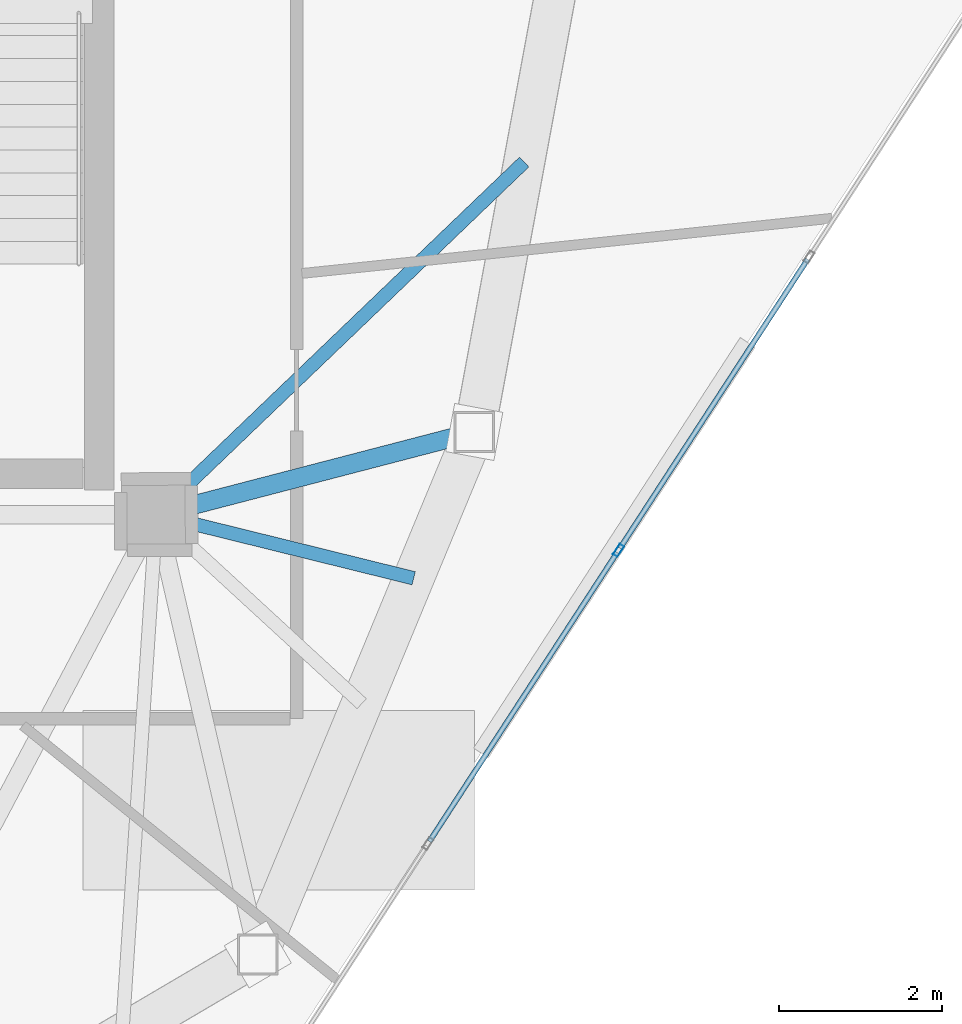
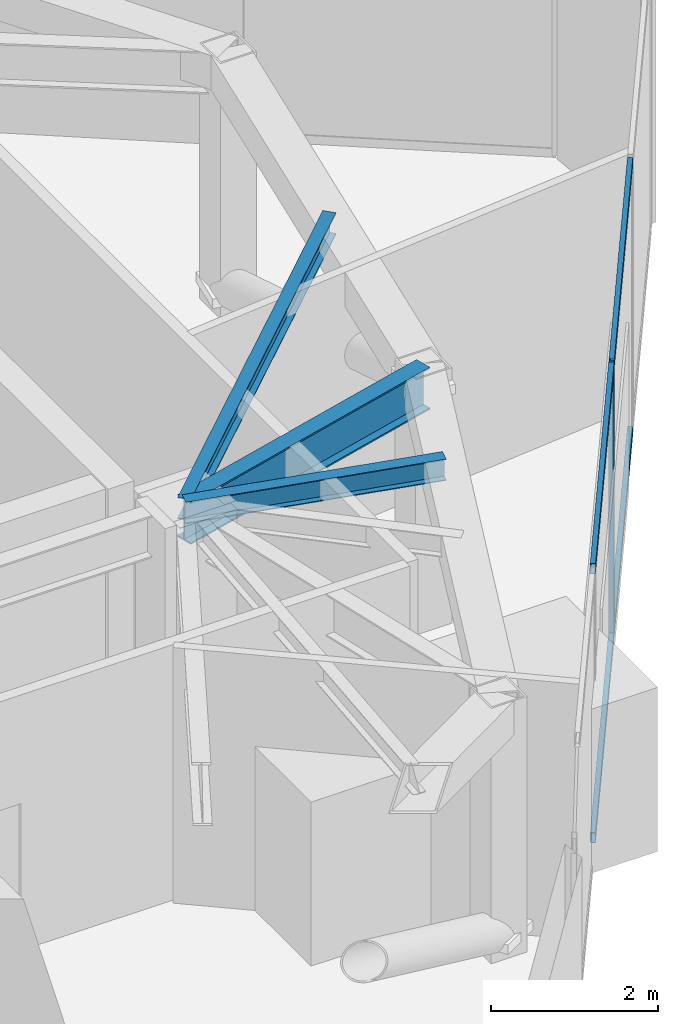
# One storey, part 8 of 21: 5 members, 3 beams, 1 element without a shape of its own.
"""IFC4 building model written with IfcOpenShell, lengths in metres."""

from ifc_helpers import new_model, si_unit, direction, frame, origin, origin_2d, place, context, subcontext, project, spatial, hollow_rectangle, i_section, extrude, source, transform, mapped, material, layer, layer_set, material_profile, profile_set, type_object, type_shapes, element, aggregate, save


model = new_model("IFC4")

# Units and contexts
model_context = context("Model", 3, precision=1e-05, world=origin(), true_north=direction((0.0, 1.0)))
body_context = subcontext(model_context, "Body", "Model", "MODEL_VIEW")
ifc_project = project(units=[si_unit("LENGTHUNIT", "METRE"), si_unit("AREAUNIT", "SQUARE_METRE"), si_unit("VOLUMEUNIT", "CUBIC_METRE"), si_unit("PLANEANGLEUNIT", "RADIAN"), si_unit("MASSUNIT", "GRAM", prefix="KILO")], contexts=[model_context])

# Site, building, storey
site_placement = place(None, origin())
site = spatial("IfcSite", under=ifc_project, at=site_placement, CompositionType="ELEMENT")
building_placement = place(site_placement, origin())
building = spatial("IfcBuilding", under=site, at=building_placement, Name="Talar Marvaseh", CompositionType="ELEMENT")
storey_placement = place(building_placement, frame((0.0, 0.0, 304.0)))
storey = spatial("IfcBuildingStorey", under=building, at=storey_placement, Name="L81", CompositionType="ELEMENT", Elevation=304.0)

# Beams
ifc_material_1 = material(Name="Steel S355", Category="steel")
ifc_material_profile_1 = material_profile(ifc_material_1, i_section(OverallWidth=0.166015625, OverallDepth=0.31298828125, WebThickness=0.006591796875, FlangeThickness=0.01123046875, at=origin_2d()), Name="W310x45")
ifc_profile_set_1 = profile_set([ifc_material_profile_1], Name="Steel S355")
beam_type_1 = type_object("IfcBeamType", Name="Zone 3 Secondary Floor Joist W310x45", PredefinedType="JOIST", material=ifc_profile_set_1)
beam_1_placement = place(storey_placement, frame((37.80859375, 29.822265625, 3.58349609375), z_axis=(-0.721862081493, -0.692036946486, 0.0), x_axis=(0.692036946486, -0.721862081493, 0.0)))
element("IfcBeam", 1, at=beam_1_placement, inside=storey, type_object=beam_type_1, Name="L81 Zone 3 Secondary Floor Joist W310x45", PredefinedType="JOIST", context=body_context, shape_type="SweptSolid", body=[
    extrude(i_section(OverallWidth=0.166015625, OverallDepth=0.31298828125, WebThickness=0.006591796875, FlangeThickness=0.01123046875, at=origin_2d()), origin(), (0.0, 0.0, 1.0), 6.24560546875),
])
beam_2_placement = place(storey_placement, frame((36.4541015625, 24.72119140625, 3.58349609375), z_axis=(-0.970841284349, 0.239723174942, 0.0), x_axis=(-0.239723174942, -0.970841284349, 0.0)))
element("IfcBeam", 2, at=beam_2_placement, inside=storey, type_object=beam_type_1, Name="L81 Zone 3 Secondary Floor Joist W310x45", PredefinedType="JOIST", context=body_context, shape_type="SweptSolid", body=[
    extrude(i_section(OverallWidth=0.166015625, OverallDepth=0.31298828125, WebThickness=0.006591796875, FlangeThickness=0.01123046875, at=origin_2d()), origin(), (0.0, 0.0, 1.0), 3.248779296875),
])
ifc_material_profile_2 = material_profile(ifc_material_1, i_section(OverallWidth=0.22998046875, OverallDepth=0.616943359375, WebThickness=0.01318359375, FlangeThickness=0.022216796875, at=origin_2d()), Name="W610x140")
ifc_profile_set_2 = profile_set([ifc_material_profile_2], Name="Steel S355")
beam_type_2 = type_object("IfcBeamType", Name="Zone 4 Radial Floor Girder W610x140", PredefinedType="BEAM", material=ifc_profile_set_2)
beam_3_placement = place(storey_placement, frame((37.197021484375, 26.513916015625, 3.431396484375), z_axis=(-0.967779967746, -0.251797406719, 0.0), x_axis=(0.251797406719, -0.967779967746, 0.0)))
element("IfcBeam", 3, at=beam_3_placement, inside=storey, type_object=beam_type_2, Name="L81 Zone 4 Radial Floor Girder W610x140", PredefinedType="BEAM", context=body_context, shape_type="SweptSolid", body=[
    extrude(i_section(OverallWidth=0.22998046875, OverallDepth=0.616943359375, WebThickness=0.01318359375, FlangeThickness=0.022216796875, at=origin_2d()), origin(), (0.0, 0.0, 1.0), 4.026611328125),
])

# Curtain wall, members
ifc_material_2 = material(Name="Architectural Aluminium", Category="aluminium")
ifc_layer = layer(ifc_material_2, 0.2099609375)
ifc_layer_set = layer_set([ifc_layer], Name="Architectural Aluminium")
curtain_wall_type = type_object("IfcCurtainWallType", Name="Crown Plant Acoustic Spandrel Curtain Wall", PredefinedType="NOTDEFINED", material=ifc_layer_set)
curtain_wall_placement = place(storey_placement, origin())
curtain_wall = element("IfcCurtainWall", 4, at=curtain_wall_placement, inside=storey, type_object=curtain_wall_type, Name="L81 Crown Plant Acoustic Spandrel Curtain Wall", PredefinedType="NOTDEFINED")
ifc_material_profile_3 = material_profile(ifc_material_2, hollow_rectangle(XDim=0.06494140625, YDim=0.14990234375, WallThickness=0.00390625, at=origin_2d()), Name="RHS150x65x4")
ifc_profile_set_3 = profile_set([ifc_material_profile_3], Name="Architectural Aluminium")
member_type_1 = type_object("IfcMemberType", Name="Unitised Curtain Wall Slim Transom RHS150x65x4", PredefinedType="USERDEFINED", material=ifc_profile_set_3)
shared_shape_1 = source(origin(), body_context, "Body", "SweptSolid", [
    extrude(hollow_rectangle(XDim=0.06494140625, YDim=0.14990234375, WallThickness=0.00390625, at=origin_2d()), origin(), (0.0, 0.0, 1.0), 4.221435546875),
])
member_1_placement = place(storey_placement, frame((38.947265625, 25.035888671875, 0.032470703125), z_axis=(-0.544785055814, -0.838575722855, 0.0), x_axis=(0.838575722855, -0.544785055814, 0.0)))
member_1 = element("IfcMember", 5, at=member_1_placement, type_object=member_type_1, Name="CW-CRN transom 3.1", ObjectType="TRANSOM", PredefinedType="USERDEFINED", context=body_context, shape_type="MappedRepresentation", body=[
    mapped(shared_shape_1, transform((0.0, 0.0, 0.0), x_axis=(1.0, 0.0, 0.0), y_axis=(0.0, 1.0, 0.0), z_axis=(0.0, 0.0, 1.0), scale=1.0)),
])
member_2_placement = place(storey_placement, frame((38.947265625, 25.035888671875, 3.967529296875), z_axis=(-0.544785055814, -0.838575722855, 0.0), x_axis=(0.838575722855, -0.544785055814, 0.0)))
member_2 = element("IfcMember", 6, at=member_2_placement, type_object=member_type_1, Name="CW-CRN transom 3.2", ObjectType="TRANSOM", PredefinedType="USERDEFINED", context=body_context, shape_type="MappedRepresentation", body=[
    mapped(shared_shape_1, transform((0.0, 0.0, 0.0), x_axis=(1.0, 0.0, 0.0), y_axis=(0.0, 1.0, 0.0), z_axis=(0.0, 0.0, 1.0), scale=1.0)),
])
shared_shape_2 = source(origin(), body_context, "Body", "SweptSolid", [
    extrude(hollow_rectangle(XDim=0.06494140625, YDim=0.14990234375, WallThickness=0.00390625, at=origin_2d()), origin(), (0.0, 0.0, 1.0), 4.22119140625),
])
type_shapes(member_type_1, [shared_shape_1, shared_shape_2])
member_3_placement = place(storey_placement, frame((41.2822265625, 28.630126953125, 0.032470703125), z_axis=(-0.544770806573, -0.838584979776, 0.0), x_axis=(0.838584979776, -0.544770806573, 0.0)))
member_3 = element("IfcMember", 7, at=member_3_placement, type_object=member_type_1, Name="CW-CRN transom 2.1", ObjectType="TRANSOM", PredefinedType="USERDEFINED", context=body_context, shape_type="MappedRepresentation", body=[
    mapped(shared_shape_2, transform((0.0, 0.0, 0.0), x_axis=(1.0, 0.0, 0.0), y_axis=(0.0, 1.0, 0.0), z_axis=(0.0, 0.0, 1.0), scale=1.0)),
])
member_4_placement = place(storey_placement, frame((41.2822265625, 28.630126953125, 3.967529296875), z_axis=(-0.544770806573, -0.838584979776, 0.0), x_axis=(0.838584979776, -0.544770806573, 0.0)))
member_4 = element("IfcMember", 8, at=member_4_placement, type_object=member_type_1, Name="CW-CRN transom 2.2", ObjectType="TRANSOM", PredefinedType="USERDEFINED", context=body_context, shape_type="MappedRepresentation", body=[
    mapped(shared_shape_2, transform((0.0, 0.0, 0.0), x_axis=(1.0, 0.0, 0.0), y_axis=(0.0, 1.0, 0.0), z_axis=(0.0, 0.0, 1.0), scale=1.0)),
])
ifc_material_profile_4 = material_profile(ifc_material_2, hollow_rectangle(XDim=0.06494140625, YDim=0.14990234375, WallThickness=0.00390625, at=origin_2d()), Name="RHS150x65x4")
ifc_profile_set_4 = profile_set([ifc_material_profile_4], Name="Architectural Aluminium")
member_type_2 = type_object("IfcMemberType", Name="Unitised Curtain Wall Slim Mullion RHS150x65x4", PredefinedType="MULLION", material=ifc_profile_set_4)
shared_shape_3 = source(origin(), body_context, "Body", "SweptSolid", [
    extrude(hollow_rectangle(XDim=0.06494140625, YDim=0.14990234375, WallThickness=0.00390625, at=origin_2d()), origin(), (0.0, 0.0, 1.0), 4.0),
])
type_shapes(member_type_2, [shared_shape_3])
member_5_placement = place(storey_placement, frame((38.96484375, 25.06298828125, 0.0), z_axis=(0.0, 0.0, 1.0), x_axis=(0.838585906919, -0.544769379387, 0.0)))
member_5 = element("IfcMember", 9, at=member_5_placement, type_object=member_type_2, Name="CW-CRN mullion 3", PredefinedType="MULLION", context=body_context, shape_type="MappedRepresentation", body=[
    mapped(shared_shape_3, transform((0.0, 0.0, 0.0), x_axis=(1.0, 0.0, 0.0), y_axis=(0.0, 1.0, 0.0), z_axis=(0.0, 0.0, 1.0), scale=1.0)),
])
aggregate(curtain_wall, [member_5, member_3, member_4, member_1, member_2])

save(model, "model.ifc")
